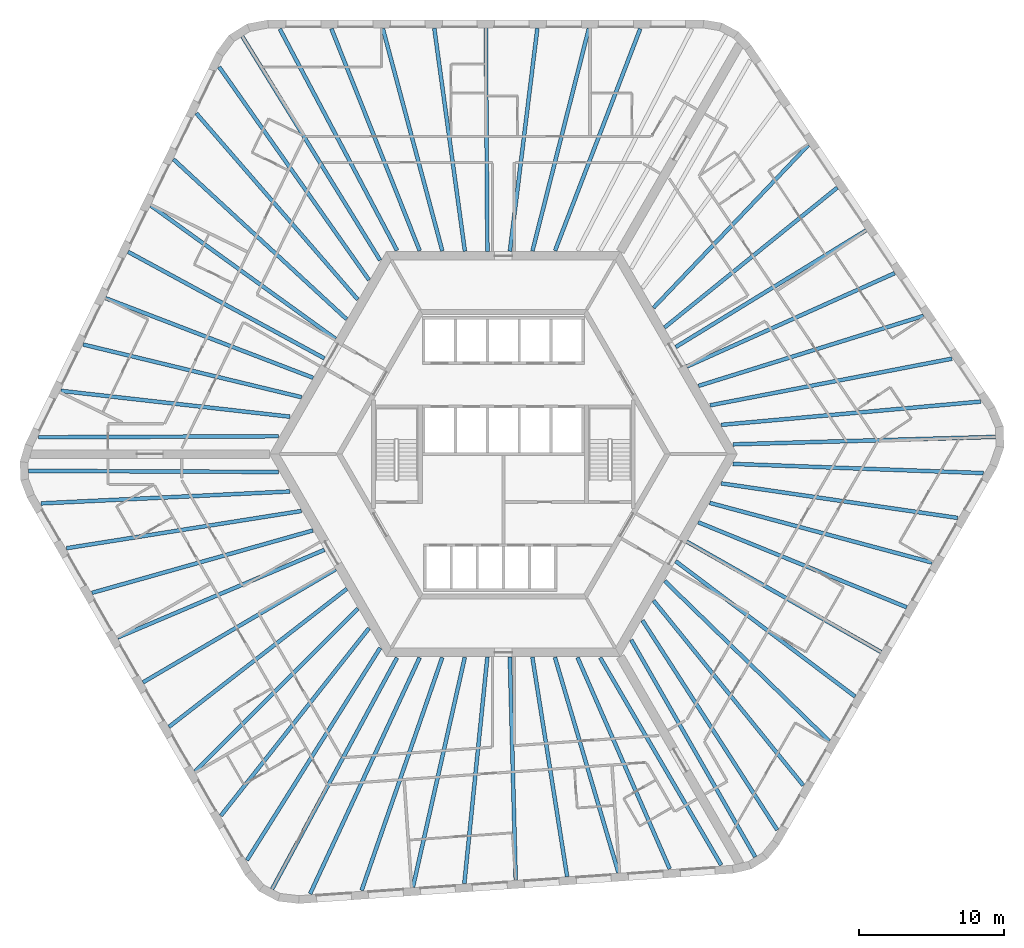
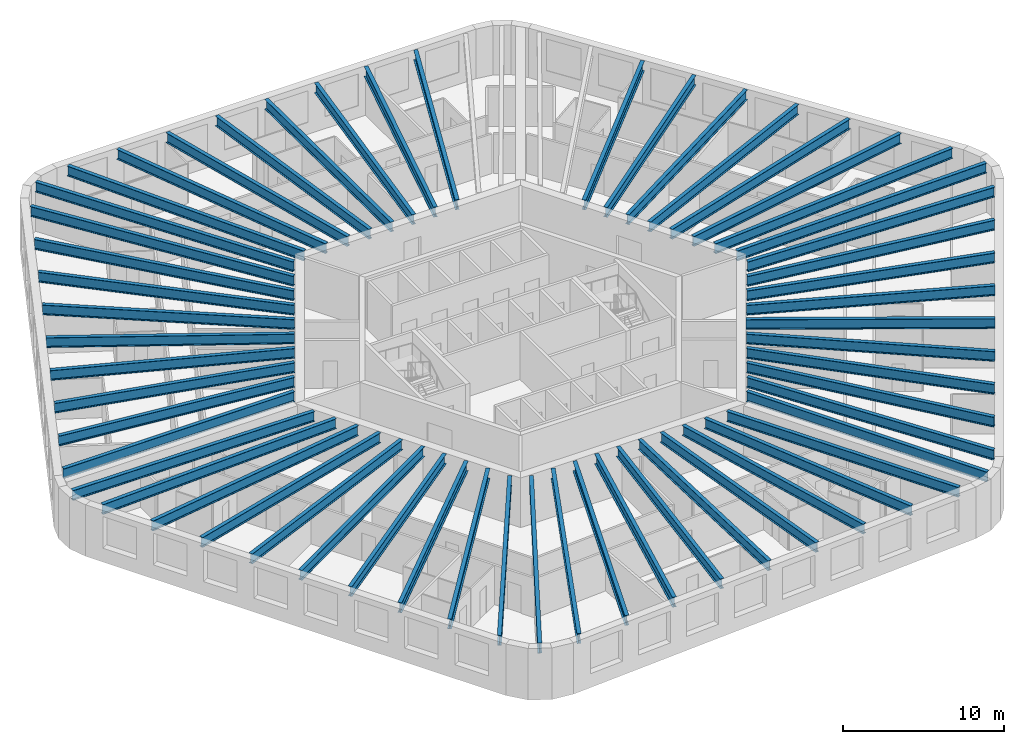
# One storey, part 1 of 12: 56 beams.
"""IFC4 building model written with IfcOpenShell, lengths in metres."""

import ifcopenshell
import ifcopenshell.guid

model = None  # the IFC model being written
_history = None  # IfcOwnerHistory: only IFC2X3 demands one
_inside = {}  # id of a spatial element -> (the spatial element, [elements in it])
_under = {}  # id of a project, library or spatial element -> (it, [spatial elements below it])
_declared = {}  # id of a project -> (the project, [libraries it declares])
_typed = {}  # id of a type object -> (the type object, [elements of that type])
_made_of = {}  # id of a material, layer set ... -> (it, [elements and type objects made of it])


def new_model(schema):
    """Start an empty IFC model of exactly this schema.

    Asked for "IFC4X3", IfcOpenShell would pick the latest addendum, in which some entities
    have other attributes; the version numbers below select the first issue.
    IFC2X3 requires an IfcOwnerHistory on every rooted entity: one is made here for all.
    """
    global model, _history
    if schema == "IFC4X3":
        model = ifcopenshell.file(schema_version=(4, 3, 0, 0))
    else:
        model = ifcopenshell.file(schema=schema)
    _inside.clear()
    _under.clear()
    _declared.clear()
    _typed.clear()
    _made_of.clear()
    _history = None
    if model.schema == "IFC2X3":
        org = make("IfcOrganization", Name="unknown")
        user = make(
            "IfcPersonAndOrganization",
            ThePerson=make("IfcPerson", FamilyName="unknown"),
            TheOrganization=org,
        )
        app = make(
            "IfcApplication",
            ApplicationDeveloper=org,
            Version="unknown",
            ApplicationFullName="unknown",
            ApplicationIdentifier="unknown",
        )
        _history = make(
            "IfcOwnerHistory",
            OwningUser=user,
            OwningApplication=app,
            ChangeAction="ADDED",
            CreationDate=0,
        )
    return model


def make(cls, **values):
    """One entity of the class cls with the attributes given. An attribute that is None is left unset."""
    return model.create_entity(
        cls, **{name: value for name, value in values.items() if value is not None}
    )


def rooted(cls, **values):
    """An entity with a GlobalId (a new one), such as an element, a storey or a relation."""
    return make(cls, GlobalId=ifcopenshell.guid.new(), OwnerHistory=_history, **values)


def si_unit(unit_type, name, prefix=None):
    """IfcSIUnit, for example si_unit("LENGTHUNIT", "METRE", prefix="MILLI")."""
    return make("IfcSIUnit", UnitType=unit_type, Prefix=prefix, Name=name)


def assignment(units):
    """IfcUnitAssignment: the units of a project."""
    return None if units is None else make("IfcUnitAssignment", Units=units)


def point(xyz):
    """IfcCartesianPoint."""
    return None if xyz is None else make("IfcCartesianPoint", Coordinates=xyz)


def direction(xyz):
    """IfcDirection."""
    return None if xyz is None else make("IfcDirection", DirectionRatios=xyz)


def frame(location, z_axis=None, x_axis=None):
    """IfcAxis2Placement3D, a coordinate frame: its origin and axes. An axis left out is left unset."""
    return make(
        "IfcAxis2Placement3D",
        Location=point(location),
        Axis=direction(z_axis),
        RefDirection=direction(x_axis),
    )


def frame_2d(location, x_axis=None):
    """IfcAxis2Placement2D, a coordinate frame in the plane: its origin and x axis."""
    return make(
        "IfcAxis2Placement2D", Location=point(location), RefDirection=direction(x_axis)
    )


def origin():
    """The frame at (0, 0, 0) with its axes left unset."""
    return frame((0.0, 0.0, 0.0))


def origin_2d():
    """The frame at (0, 0) in the plane with its x axis left unset."""
    return frame_2d((0.0, 0.0))


def place(relative_to, where):
    """IfcLocalPlacement: puts the frame where relative to a parent placement (None: the world)."""
    return make(
        "IfcLocalPlacement", PlacementRelTo=relative_to, RelativePlacement=where
    )


def context(
    kind, dimensions, precision=None, world=None, true_north=None, identifier=None
):
    """IfcGeometricRepresentationContext, for example the 3D "Model" context."""
    return make(
        "IfcGeometricRepresentationContext",
        ContextIdentifier=identifier,
        ContextType=kind,
        CoordinateSpaceDimension=dimensions,
        Precision=precision,
        WorldCoordinateSystem=world,
        TrueNorth=true_north,
    )


def subcontext(parent, identifier, kind, view, scale=None):
    """IfcGeometricRepresentationSubContext, for example "Body" below "Model"."""
    return make(
        "IfcGeometricRepresentationSubContext",
        ContextIdentifier=identifier,
        ContextType=kind,
        ParentContext=parent,
        TargetScale=scale,
        TargetView=view,
    )


def project(units=None, contexts=None):
    """IfcProject with its units and contexts."""
    return rooted(
        "IfcProject",
        Name="project",
        RepresentationContexts=contexts,
        UnitsInContext=assignment(units),
    )


def spatial(cls, under=None, at=None, **own):
    """A site, building, storey or space (cls), placed at a placement, below another one or the project."""
    s = rooted(cls, ObjectPlacement=at, **own)
    if under is not None:
        _under.setdefault(under.id(), (under, []))[1].append(s)
    return s


def profile(cls, at=None, kind="AREA", **sizes):
    """A parametric profile (cls). Its sizes go by their IFC names, for example OverallWidth=200.0."""
    return make(cls, ProfileType=kind, Position=at, **sizes)


def i_section(**sizes):
    """IfcIShapeProfileDef."""
    return profile("IfcIShapeProfileDef", **sizes)


def extrude(swept, where, along, depth):
    """IfcExtrudedAreaSolid: the profile swept, set in the frame where, extruded along a direction by depth."""
    return make(
        "IfcExtrudedAreaSolid",
        SweptArea=swept,
        Position=where,
        ExtrudedDirection=direction(along),
        Depth=depth,
    )


def shape(context_of_items, identifier, shape_type, items):
    """IfcShapeRepresentation: the items that make up one representation, for example the "Body"."""
    return make(
        "IfcShapeRepresentation",
        ContextOfItems=context_of_items,
        RepresentationIdentifier=identifier,
        RepresentationType=shape_type,
        Items=items,
    )


def material(Name=None, Category=None):
    """IfcMaterial."""
    return make("IfcMaterial", Name=Name, Category=Category)


def material_profile(
    of_material, cross_section, Name=None, Category=None, Priority=None
):
    """IfcMaterialProfile: a cross section and its material."""
    return make(
        "IfcMaterialProfile",
        Name=Name,
        Material=of_material,
        Profile=cross_section,
        Priority=Priority,
        Category=Category,
    )


def profile_set(profiles, Name=None, composite=None):
    """IfcMaterialProfileSet."""
    return make(
        "IfcMaterialProfileSet",
        Name=Name,
        MaterialProfiles=profiles,
        CompositeProfile=composite,
    )


def made_of(thing, what):
    """Note that an element or type object is made of a material, layer set ...; save() writes the relation."""
    if what is not None:
        _made_of.setdefault(what.id(), (what, []))[1].append(thing)
    return thing


def type_object(cls, material=None, **own):
    """A type object (cls), such as IfcWallType, which elements share."""
    return made_of(rooted(cls, **own), material)


def element(
    cls,
    number,
    at=None,
    inside=None,
    cuts=None,
    type_object=None,
    material=None,
    context=None,
    identifier="Body",
    shape_type=None,
    held_by="IfcProductDefinitionShape",
    body=None,
    shapes=None,
    **own,
):
    """One element of the class cls, such as IfcWall. Its Tag is "e" and its number.

    at: its placement. inside: the storey or other place that contains it. cuts: it is an
    opening in that element (IfcRelVoidsElement). A single representation is given by context,
    identifier, shape_type and body (its items); several are given by shapes. held_by: the class
    of the entity that holds the representations. save() writes the other relations.
    """
    e = rooted(cls, Tag="e%d" % number, ObjectPlacement=at, **own)
    if body is not None:
        shapes = [shape(context, identifier, shape_type, body)]
    if shapes is not None:
        e.Representation = make(held_by, Representations=shapes)
    if inside is not None:
        _inside.setdefault(inside.id(), (inside, []))[1].append(e)
    if cuts is not None:
        rooted(
            "IfcRelVoidsElement", RelatingBuildingElement=cuts, RelatedOpeningElement=e
        )
    if type_object is not None:
        _typed.setdefault(type_object.id(), (type_object, []))[1].append(e)
    return made_of(e, material)


def aggregate(whole, parts):
    """IfcRelAggregates: a whole, such as a stair, and the parts it consists of."""
    return rooted("IfcRelAggregates", RelatingObject=whole, RelatedObjects=parts)


def save(model, path):
    """Write the relations noted so far, then the file.

    IfcRelAggregates (storeys below a building ...), IfcRelContainedInSpatialStructure (elements
    in a storey), IfcRelDefinesByType, IfcRelAssociatesMaterial and IfcRelDeclares: one each for
    every whole, place, type object, material and project.
    """
    for whole, parts in _under.values():
        aggregate(whole, parts)
    for where, things in _inside.values():
        rooted(
            "IfcRelContainedInSpatialStructure",
            RelatedElements=things,
            RelatingStructure=where,
        )
    for kind, things in _typed.values():
        rooted("IfcRelDefinesByType", RelatedObjects=things, RelatingType=kind)
    for what, things in _made_of.values():
        rooted("IfcRelAssociatesMaterial", RelatedObjects=things, RelatingMaterial=what)
    for by, libraries in _declared.values():
        rooted("IfcRelDeclares", RelatingContext=by, RelatedDefinitions=libraries)
    model.write(path)


model = new_model("IFC4")

# Units and contexts
model_context = context("Model", 3, precision=1e-05, world=origin(), true_north=direction((0.0, 1.0)))
body_context = subcontext(model_context, "Body", "Model", "MODEL_VIEW")
ifc_project = project(units=[si_unit("LENGTHUNIT", "METRE"), si_unit("AREAUNIT", "SQUARE_METRE"), si_unit("VOLUMEUNIT", "CUBIC_METRE"), si_unit("PLANEANGLEUNIT", "RADIAN"), si_unit("MASSUNIT", "GRAM", prefix="KILO")], contexts=[model_context])

# Site, building, storey
site_placement = place(None, origin())
site = spatial("IfcSite", under=ifc_project, at=site_placement, CompositionType="ELEMENT")
building_placement = place(site_placement, origin())
building = spatial("IfcBuilding", under=site, at=building_placement, Name="Tarnside Tower", CompositionType="ELEMENT")
storey_placement = place(building_placement, frame((0.0, 0.0, 119.39990234375)))
storey = spatial("IfcBuildingStorey", under=building, at=storey_placement, Name="L27", CompositionType="ELEMENT", Elevation=119.39990234375)

# Beams
ifc_material = material(Name="Steel S355", Category="steel")
ifc_material_profile_1 = material_profile(ifc_material, i_section(OverallWidth=0.26513671875, OverallDepth=0.75390625, WebThickness=0.0126953125, FlangeThickness=0.017578125, FilletRadius=0.0166015625, at=origin_2d()), Name="UB 762x267x147")
ifc_profile_set_1 = profile_set([ifc_material_profile_1], Name="Steel S355")
beam_type_1 = type_object("IfcBeamType", Name="Floor beam UB 762x267x147", PredefinedType="BEAM", material=ifc_profile_set_1)
beam_1_placement = place(storey_placement, frame((2.3525390625, 29.43017578125, 3.373046875), z_axis=(-0.122329629165, -0.992489527314, 0.0), x_axis=(0.992489527314, -0.122329629165, 0.0)))
element("IfcBeam", 1, at=beam_1_placement, inside=storey, type_object=beam_type_1, Name="Floor beam F1.04", PredefinedType="BEAM", context=body_context, shape_type="SweptSolid", body=[
    extrude(i_section(OverallWidth=0.26513671875, OverallDepth=0.75390625, WebThickness=0.0126953125, FlangeThickness=0.017578125, FilletRadius=0.0166015625, at=origin_2d()), origin(), (0.0, 0.0, 1.0), 15.527099609375),
])
beam_2_placement = place(storey_placement, frame((-1.208984375, 29.449951171875, 3.373046875), z_axis=(0.007000128723, -0.999975498799, 0.0), x_axis=(0.999975498799, 0.007000128723, 0.0)))
element("IfcBeam", 2, at=beam_2_placement, inside=storey, type_object=beam_type_1, Name="Floor beam F1.05", PredefinedType="BEAM", context=body_context, shape_type="SweptSolid", body=[
    extrude(i_section(OverallWidth=0.26513671875, OverallDepth=0.75390625, WebThickness=0.0126953125, FlangeThickness=0.017578125, FilletRadius=0.0166015625, at=origin_2d()), origin(), (0.0, 0.0, 1.0), 15.450439453125),
])
beam_3_placement = place(storey_placement, frame((-4.7705078125, 29.43017578125, 3.373046875), z_axis=(0.136000560933, -0.990708760144, 0.0), x_axis=(0.990708760144, 0.136000560933, 0.0)))
element("IfcBeam", 3, at=beam_3_placement, inside=storey, type_object=beam_type_1, Name="Floor beam F1.06", PredefinedType="BEAM", context=body_context, shape_type="SweptSolid", body=[
    extrude(i_section(OverallWidth=0.26513671875, OverallDepth=0.75390625, WebThickness=0.0126953125, FlangeThickness=0.017578125, FilletRadius=0.0166015625, at=origin_2d()), origin(), (0.0, 0.0, 1.0), 15.554931640625),
])
beam_4_placement = place(storey_placement, frame((-24.348876953125, 17.168212890625, 3.373046875), z_axis=(0.811027744825, -0.585007689799, 0.0), x_axis=(0.585007689799, 0.811027744825, 0.0)))
element("IfcBeam", 4, at=beam_4_placement, inside=storey, type_object=beam_type_1, Name="Floor beam F2.04", PredefinedType="BEAM", context=body_context, shape_type="SweptSolid", body=[
    extrude(i_section(OverallWidth=0.26513671875, OverallDepth=0.75390625, WebThickness=0.0126953125, FlangeThickness=0.017578125, FilletRadius=0.0166015625, at=origin_2d()), origin(), (0.0, 0.0, 1.0), 15.731689453125),
])
beam_5_placement = place(storey_placement, frame((-25.92626953125, 13.978271484375, 3.373046875), z_axis=(0.878894567679, -0.477016078245, 0.0), x_axis=(0.477016078245, 0.878894567679, 0.0)))
element("IfcBeam", 5, at=beam_5_placement, inside=storey, type_object=beam_type_1, Name="Floor beam F2.05", PredefinedType="BEAM", context=body_context, shape_type="SweptSolid", body=[
    extrude(i_section(OverallWidth=0.26513671875, OverallDepth=0.75390625, WebThickness=0.0126953125, FlangeThickness=0.017578125, FilletRadius=0.0166015625, at=origin_2d()), origin(), (0.0, 0.0, 1.0), 15.427490234375),
])
beam_6_placement = place(storey_placement, frame((-27.487548828125, 10.77734375, 3.373046875), z_axis=(0.933617702452, -0.358270827264, 0.0), x_axis=(0.358270827264, 0.933617702452, 0.0)))
element("IfcBeam", 6, at=beam_6_placement, inside=storey, type_object=beam_type_1, Name="Floor beam F2.06", PredefinedType="BEAM", context=body_context, shape_type="SweptSolid", body=[
    extrude(i_section(OverallWidth=0.26513671875, OverallDepth=0.75390625, WebThickness=0.0126953125, FlangeThickness=0.017578125, FilletRadius=0.0166015625, at=origin_2d()), origin(), (0.0, 0.0, 1.0), 15.363037109375),
])
beam_7_placement = place(storey_placement, frame((-29.029296875, 7.572509765625, 3.373046875), z_axis=(0.972101750991, -0.234559556873, 0.0), x_axis=(0.234559556873, 0.972101750991, 0.0)))
element("IfcBeam", 7, at=beam_7_placement, inside=storey, type_object=beam_type_1, Name="Floor beam F2.07", PredefinedType="BEAM", context=body_context, shape_type="SweptSolid", body=[
    extrude(i_section(OverallWidth=0.26513671875, OverallDepth=0.75390625, WebThickness=0.0126953125, FlangeThickness=0.017578125, FilletRadius=0.0166015625, at=origin_2d()), origin(), (0.0, 0.0, 1.0), 15.522216796875),
])
beam_8_placement = place(storey_placement, frame((-26.66357421875, -12.677734375, 3.373046875), z_axis=(0.920684021494, 0.390308765679, 0.0), x_axis=(-0.390308765679, 0.920684021494, 0.0)))
element("IfcBeam", 8, at=beam_8_placement, inside=storey, type_object=beam_type_1, Name="Floor beam F3.04", PredefinedType="BEAM", context=body_context, shape_type="SweptSolid", body=[
    extrude(i_section(OverallWidth=0.26513671875, OverallDepth=0.75390625, WebThickness=0.0126953125, FlangeThickness=0.017578125, FilletRadius=0.0166015625, at=origin_2d()), origin(), (0.0, 0.0, 1.0), 15.52685546875),
])
beam_9_placement = place(storey_placement, frame((-24.89990234375, -15.772216796875, 3.373046875), z_axis=(0.862497502004, 0.506061319443, 0.0), x_axis=(-0.506061319443, 0.862497502004, 0.0)))
element("IfcBeam", 9, at=beam_9_placement, inside=storey, type_object=beam_type_1, Name="Floor beam F3.05", PredefinedType="BEAM", context=body_context, shape_type="SweptSolid", body=[
    extrude(i_section(OverallWidth=0.26513671875, OverallDepth=0.75390625, WebThickness=0.0126953125, FlangeThickness=0.017578125, FilletRadius=0.0166015625, at=origin_2d()), origin(), (0.0, 0.0, 1.0), 15.450439453125),
])
beam_10_placement = place(storey_placement, frame((-23.10205078125, -18.846435546875, 3.373046875), z_axis=(0.789983963813, 0.613127504617, 0.0), x_axis=(-0.613127504617, 0.789983963813, 0.0)))
element("IfcBeam", 10, at=beam_10_placement, inside=storey, type_object=beam_type_1, Name="Floor beam F3.06", PredefinedType="BEAM", context=body_context, shape_type="SweptSolid", body=[
    extrude(i_section(OverallWidth=0.26513671875, OverallDepth=0.75390625, WebThickness=0.0126953125, FlangeThickness=0.017578125, FilletRadius=0.0166015625, at=origin_2d()), origin(), (0.0, 0.0, 1.0), 15.554931640625),
])
beam_11_placement = place(storey_placement, frame((-2.693603515625, -29.6708984375, 3.373046875), z_axis=(0.101123115756, 0.994873919379, 0.0), x_axis=(-0.994873919379, 0.101123115756, 0.0)))
element("IfcBeam", 11, at=beam_11_placement, inside=storey, type_object=beam_type_1, Name="Floor beam F4.04", PredefinedType="BEAM", context=body_context, shape_type="SweptSolid", body=[
    extrude(i_section(OverallWidth=0.26513671875, OverallDepth=0.75390625, WebThickness=0.0126953125, FlangeThickness=0.017578125, FilletRadius=0.0166015625, at=origin_2d()), origin(), (0.0, 0.0, 1.0), 15.7314453125),
])
beam_12_placement = place(storey_placement, frame((0.857666015625, -29.44189453125, 3.373046875), z_axis=(-0.026333316788, 0.999653218085, 0.0), x_axis=(-0.999653218085, -0.026333316788, 0.0)))
element("IfcBeam", 12, at=beam_12_placement, inside=storey, type_object=beam_type_1, Name="Floor beam F4.05", PredefinedType="BEAM", context=body_context, shape_type="SweptSolid", body=[
    extrude(i_section(OverallWidth=0.26513671875, OverallDepth=0.75390625, WebThickness=0.0126953125, FlangeThickness=0.017578125, FilletRadius=0.0166015625, at=origin_2d()), origin(), (0.0, 0.0, 1.0), 15.42724609375),
])
beam_13_placement = place(storey_placement, frame((4.41015625, -29.193603515625, 3.373046875), z_axis=(-0.156513375907, 0.98767583911, 0.0), x_axis=(-0.98767583911, -0.156513375907, 0.0)))
element("IfcBeam", 13, at=beam_13_placement, inside=storey, type_object=beam_type_1, Name="Floor beam F4.06", PredefinedType="BEAM", context=body_context, shape_type="SweptSolid", body=[
    extrude(i_section(OverallWidth=0.26513671875, OverallDepth=0.75390625, WebThickness=0.0126953125, FlangeThickness=0.017578125, FilletRadius=0.0166015625, at=origin_2d()), origin(), (0.0, 0.0, 1.0), 15.36328125),
])
beam_14_placement = place(storey_placement, frame((7.956787109375, -28.926513671875, 3.373046875), z_axis=(-0.282920694328, 0.959143305623, 0.0), x_axis=(-0.959143305623, -0.282920694328, 0.0)))
element("IfcBeam", 14, at=beam_14_placement, inside=storey, type_object=beam_type_1, Name="Floor beam F4.07", PredefinedType="BEAM", context=body_context, shape_type="SweptSolid", body=[
    extrude(i_section(OverallWidth=0.26513671875, OverallDepth=0.75390625, WebThickness=0.0126953125, FlangeThickness=0.017578125, FilletRadius=0.0166015625, at=origin_2d()), origin(), (0.0, 0.0, 1.0), 15.5224609375),
])
beam_15_placement = place(storey_placement, frame((24.31103515625, -16.75244140625, 3.373046875), z_axis=(-0.798361152727, 0.602178935049, 0.0), x_axis=(-0.602178935049, -0.798361152727, 0.0)))
element("IfcBeam", 15, at=beam_15_placement, inside=storey, type_object=beam_type_1, Name="Floor beam F5.04", PredefinedType="BEAM", context=body_context, shape_type="SweptSolid", body=[
    extrude(i_section(OverallWidth=0.26513671875, OverallDepth=0.75390625, WebThickness=0.0126953125, FlangeThickness=0.017578125, FilletRadius=0.0166015625, at=origin_2d()), origin(), (0.0, 0.0, 1.0), 15.527099609375),
])
beam_16_placement = place(storey_placement, frame((26.10888671875, -13.677978515625, 3.373046875), z_axis=(-0.869502520992, 0.493928502911, 0.0), x_axis=(-0.493928502911, -0.869502520992, 0.0)))
element("IfcBeam", 16, at=beam_16_placement, inside=storey, type_object=beam_type_1, Name="Floor beam F5.05", PredefinedType="BEAM", context=body_context, shape_type="SweptSolid", body=[
    extrude(i_section(OverallWidth=0.26513671875, OverallDepth=0.75390625, WebThickness=0.0126953125, FlangeThickness=0.017578125, FilletRadius=0.0166015625, at=origin_2d()), origin(), (0.0, 0.0, 1.0), 15.4501953125),
])
beam_17_placement = place(storey_placement, frame((27.87255859375, -10.58349609375, 3.373046875), z_axis=(-0.925981621163, 0.377568586177, 0.0), x_axis=(-0.377568586177, -0.925981621163, 0.0)))
element("IfcBeam", 17, at=beam_17_placement, inside=storey, type_object=beam_type_1, Name="Floor beam F5.06", PredefinedType="BEAM", context=body_context, shape_type="SweptSolid", body=[
    extrude(i_section(OverallWidth=0.26513671875, OverallDepth=0.75390625, WebThickness=0.0126953125, FlangeThickness=0.017578125, FilletRadius=0.0166015625, at=origin_2d()), origin(), (0.0, 0.0, 1.0), 15.554931640625),
])
beam_18_placement = place(storey_placement, frame((27.04248046875, 12.502685546875, 3.373046875), z_axis=(-0.912146413919, -0.409864513681, 0.0), x_axis=(0.409864513681, -0.912146413919, 0.0)))
element("IfcBeam", 18, at=beam_18_placement, inside=storey, type_object=beam_type_1, Name="Floor beam F6.04", PredefinedType="BEAM", context=body_context, shape_type="SweptSolid", body=[
    extrude(i_section(OverallWidth=0.26513671875, OverallDepth=0.75390625, WebThickness=0.0126953125, FlangeThickness=0.017578125, FilletRadius=0.0166015625, at=origin_2d()), origin(), (0.0, 0.0, 1.0), 15.7314453125),
])
beam_19_placement = place(storey_placement, frame((25.068603515625, 15.463623046875, 3.373046875), z_axis=(-0.852558490017, -0.522631821744, 0.0), x_axis=(0.522631821744, -0.852558490017, 0.0)))
element("IfcBeam", 19, at=beam_19_placement, inside=storey, type_object=beam_type_1, Name="Floor beam F6.05", PredefinedType="BEAM", context=body_context, shape_type="SweptSolid", body=[
    extrude(i_section(OverallWidth=0.26513671875, OverallDepth=0.75390625, WebThickness=0.0126953125, FlangeThickness=0.017578125, FilletRadius=0.0166015625, at=origin_2d()), origin(), (0.0, 0.0, 1.0), 15.42724609375),
])
beam_20_placement = place(storey_placement, frame((23.0771484375, 18.416259765625, 3.373046875), z_axis=(-0.777079423039, -0.629402550272, 0.0), x_axis=(0.629402550272, -0.777079423039, 0.0)))
element("IfcBeam", 20, at=beam_20_placement, inside=storey, type_object=beam_type_1, Name="Floor beam F6.06", PredefinedType="BEAM", context=body_context, shape_type="SweptSolid", body=[
    extrude(i_section(OverallWidth=0.26513671875, OverallDepth=0.75390625, WebThickness=0.0126953125, FlangeThickness=0.017578125, FilletRadius=0.0166015625, at=origin_2d()), origin(), (0.0, 0.0, 1.0), 15.36328125),
])
beam_21_placement = place(storey_placement, frame((21.072509765625, 21.35400390625, 3.373046875), z_axis=(-0.689174694318, -0.724595225427, 0.0), x_axis=(0.724595225427, -0.689174694318, 0.0)))
element("IfcBeam", 21, at=beam_21_placement, inside=storey, type_object=beam_type_1, Name="Floor beam F6.07", PredefinedType="BEAM", context=body_context, shape_type="SweptSolid", body=[
    extrude(i_section(OverallWidth=0.26513671875, OverallDepth=0.75390625, WebThickness=0.0126953125, FlangeThickness=0.017578125, FilletRadius=0.0166015625, at=origin_2d()), origin(), (0.0, 0.0, 1.0), 15.522216796875),
])
ifc_material_profile_2 = material_profile(ifc_material, i_section(OverallWidth=0.2666015625, OverallDepth=0.76220703125, WebThickness=0.014404296875, FlangeThickness=0.021484375, FilletRadius=0.0166015625, at=origin_2d()), Name="UB 762x267x173")
ifc_profile_set_2 = profile_set([ifc_material_profile_2], Name="Steel S355")
beam_type_2 = type_object("IfcBeamType", Name="Floor beam UB 762x267x173", PredefinedType="BEAM", material=ifc_profile_set_2)
beam_22_placement = place(storey_placement, frame((9.4619140625, 29.39404296875, 3.368896484375), z_axis=(-0.358299847269, -0.933606565662, 0.0), x_axis=(0.933606565662, -0.358299847269, 0.0)))
element("IfcBeam", 22, at=beam_22_placement, inside=storey, type_object=beam_type_2, Name="Floor beam F1.02", PredefinedType="BEAM", context=body_context, shape_type="SweptSolid", body=[
    extrude(i_section(OverallWidth=0.2666015625, OverallDepth=0.76220703125, WebThickness=0.014404296875, FlangeThickness=0.021484375, FilletRadius=0.0166015625, at=origin_2d()), origin(), (0.0, 0.0, 1.0), 16.428955078125),
])
beam_23_placement = place(storey_placement, frame((5.909423828125, 29.4111328125, 3.368896484375), z_axis=(-0.245747281389, -0.969333933013, 0.0), x_axis=(0.969333933013, -0.245747281389, 0.0)))
element("IfcBeam", 23, at=beam_23_placement, inside=storey, type_object=beam_type_2, Name="Floor beam F1.03", PredefinedType="BEAM", context=body_context, shape_type="SweptSolid", body=[
    extrude(i_section(OverallWidth=0.2666015625, OverallDepth=0.76220703125, WebThickness=0.014404296875, FlangeThickness=0.021484375, FilletRadius=0.0166015625, at=origin_2d()), origin(), (0.0, 0.0, 1.0), 15.858642578125),
])
beam_24_placement = place(storey_placement, frame((-8.3271484375, 29.411376953125, 3.368896484375), z_axis=(0.258447478572, -0.966025310652, 0.0), x_axis=(0.966025310652, 0.258447478572, 0.0)))
element("IfcBeam", 24, at=beam_24_placement, inside=storey, type_object=beam_type_2, Name="Floor beam F1.07", PredefinedType="BEAM", context=body_context, shape_type="SweptSolid", body=[
    extrude(i_section(OverallWidth=0.2666015625, OverallDepth=0.76220703125, WebThickness=0.014404296875, FlangeThickness=0.021484375, FilletRadius=0.0166015625, at=origin_2d()), origin(), (0.0, 0.0, 1.0), 15.91357421875),
])
beam_25_placement = place(storey_placement, frame((-11.87939453125, 29.394287109375, 3.368896484375), z_axis=(0.369638204477, -0.929175762593, 0.0), x_axis=(0.929175762593, 0.369638204477, 0.0)))
element("IfcBeam", 25, at=beam_25_placement, inside=storey, type_object=beam_type_2, Name="Floor beam F1.08", PredefinedType="BEAM", context=body_context, shape_type="SweptSolid", body=[
    extrude(i_section(OverallWidth=0.2666015625, OverallDepth=0.76220703125, WebThickness=0.014404296875, FlangeThickness=0.021484375, FilletRadius=0.0166015625, at=origin_2d()), origin(), (0.0, 0.0, 1.0), 16.507568359375),
])
beam_26_placement = place(storey_placement, frame((-15.44580078125, 29.37939453125, 3.368896484375), z_axis=(0.467741993634, -0.883865050441, 0.0), x_axis=(0.883865050441, 0.467741993634, 0.0)))
element("IfcBeam", 26, at=beam_26_placement, inside=storey, type_object=beam_type_2, Name="Floor beam F1.09", PredefinedType="BEAM", context=body_context, shape_type="SweptSolid", body=[
    extrude(i_section(OverallWidth=0.2666015625, OverallDepth=0.76220703125, WebThickness=0.014404296875, FlangeThickness=0.021484375, FilletRadius=0.0166015625, at=origin_2d()), origin(), (0.0, 0.0, 1.0), 17.320068359375),
])
beam_27_placement = place(storey_placement, frame((-18.042236328125, 28.8701171875, 3.368896484375), z_axis=(0.524382977035, -0.851482526771, 0.0), x_axis=(0.851482526771, 0.524382977035, 0.0)))
element("IfcBeam", 27, at=beam_27_placement, inside=storey, type_object=beam_type_2, Name="Floor beam C1", PredefinedType="BEAM", context=body_context, shape_type="SweptSolid", body=[
    extrude(i_section(OverallWidth=0.2666015625, OverallDepth=0.76220703125, WebThickness=0.014404296875, FlangeThickness=0.021484375, FilletRadius=0.0166015625, at=origin_2d()), origin(), (0.0, 0.0, 1.0), 18.1728515625),
])
beam_28_placement = place(storey_placement, frame((-19.638671875, 26.75537109375, 3.368896484375), z_axis=(0.575411427849, -0.817864101609, 0.0), x_axis=(0.817864101609, 0.575411427849, 0.0)))
element("IfcBeam", 28, at=beam_28_placement, inside=storey, type_object=beam_type_2, Name="Floor beam F2.01", PredefinedType="BEAM", context=body_context, shape_type="SweptSolid", body=[
    extrude(i_section(OverallWidth=0.2666015625, OverallDepth=0.76220703125, WebThickness=0.014404296875, FlangeThickness=0.021484375, FilletRadius=0.0166015625, at=origin_2d()), origin(), (0.0, 0.0, 1.0), 18.00048828125),
])
beam_29_placement = place(storey_placement, frame((-21.21630859375, 23.554931640625, 3.368896484375), z_axis=(0.654980748073, -0.755645564834, 0.0), x_axis=(0.755645564834, 0.654980748073, 0.0)))
element("IfcBeam", 29, at=beam_29_placement, inside=storey, type_object=beam_type_2, Name="Floor beam F2.02", PredefinedType="BEAM", context=body_context, shape_type="SweptSolid", body=[
    extrude(i_section(OverallWidth=0.2666015625, OverallDepth=0.76220703125, WebThickness=0.014404296875, FlangeThickness=0.021484375, FilletRadius=0.0166015625, at=origin_2d()), origin(), (0.0, 0.0, 1.0), 17.0302734375),
])
beam_30_placement = place(storey_placement, frame((-22.7890625, 20.368408203125, 3.368896484375), z_axis=(0.734715474517, -0.678375391288, 0.0), x_axis=(0.678375391288, 0.734715474517, 0.0)))
element("IfcBeam", 30, at=beam_30_placement, inside=storey, type_object=beam_type_2, Name="Floor beam F2.03", PredefinedType="BEAM", context=body_context, shape_type="SweptSolid", body=[
    extrude(i_section(OverallWidth=0.2666015625, OverallDepth=0.76220703125, WebThickness=0.014404296875, FlangeThickness=0.021484375, FilletRadius=0.0166015625, at=origin_2d()), origin(), (0.0, 0.0, 1.0), 16.2802734375),
])
beam_31_placement = place(storey_placement, frame((-30.570556640625, 4.372802734375, 3.368896484375), z_axis=(0.993687302776, -0.112185312326, 0.0), x_axis=(0.112185312326, 0.993687302776, 0.0)))
element("IfcBeam", 31, at=beam_31_placement, inside=storey, type_object=beam_type_2, Name="Floor beam F2.08", PredefinedType="BEAM", context=body_context, shape_type="SweptSolid", body=[
    extrude(i_section(OverallWidth=0.2666015625, OverallDepth=0.76220703125, WebThickness=0.014404296875, FlangeThickness=0.021484375, FilletRadius=0.0166015625, at=origin_2d()), origin(), (0.0, 0.0, 1.0), 15.934326171875),
])
beam_32_placement = place(storey_placement, frame((-32.119384765625, 1.162109375, 3.368896484375), z_axis=(0.999990508787, 0.004356872304, 0.0), x_axis=(-0.004356872304, 0.999990508787, 0.0)))
element("IfcBeam", 32, at=beam_32_placement, inside=storey, type_object=beam_type_2, Name="Floor beam F2.09", PredefinedType="BEAM", context=body_context, shape_type="SweptSolid", body=[
    extrude(i_section(OverallWidth=0.2666015625, OverallDepth=0.76220703125, WebThickness=0.014404296875, FlangeThickness=0.021484375, FilletRadius=0.0166015625, at=origin_2d()), origin(), (0.0, 0.0, 1.0), 16.586669921875),
])
beam_33_placement = place(storey_placement, frame((-32.80712890625, -1.1572265625, 3.368896484375), z_axis=(0.999990027056, -0.004466070929, 0.0), x_axis=(0.004466070929, 0.999990027056, 0.0)))
element("IfcBeam", 33, at=beam_33_placement, inside=storey, type_object=beam_type_2, Name="Floor beam C2", PredefinedType="BEAM", context=body_context, shape_type="SweptSolid", body=[
    extrude(i_section(OverallWidth=0.2666015625, OverallDepth=0.76220703125, WebThickness=0.014404296875, FlangeThickness=0.021484375, FilletRadius=0.0166015625, at=origin_2d()), origin(), (0.0, 0.0, 1.0), 17.2744140625),
])
beam_34_placement = place(storey_placement, frame((-31.95703125, -3.406494140625, 3.368896484375), z_axis=(0.998853818522, 0.047864905982, 0.0), x_axis=(-0.047864905982, 0.998853818522, 0.0)))
element("IfcBeam", 34, at=beam_34_placement, inside=storey, type_object=beam_type_2, Name="Floor beam F3.01", PredefinedType="BEAM", context=body_context, shape_type="SweptSolid", body=[
    extrude(i_section(OverallWidth=0.2666015625, OverallDepth=0.76220703125, WebThickness=0.014404296875, FlangeThickness=0.021484375, FilletRadius=0.0166015625, at=origin_2d()), origin(), (0.0, 0.0, 1.0), 17.2197265625),
])
beam_35_placement = place(storey_placement, frame((-30.18701171875, -6.502685546875, 3.368896484375), z_axis=(0.987678477078, 0.156496728136, 0.0), x_axis=(-0.156496728136, 0.987678477078, 0.0)))
element("IfcBeam", 35, at=beam_35_placement, inside=storey, type_object=beam_type_2, Name="Floor beam F3.02", PredefinedType="BEAM", context=body_context, shape_type="SweptSolid", body=[
    extrude(i_section(OverallWidth=0.2666015625, OverallDepth=0.76220703125, WebThickness=0.014404296875, FlangeThickness=0.021484375, FilletRadius=0.0166015625, at=origin_2d()), origin(), (0.0, 0.0, 1.0), 16.4287109375),
])
beam_36_placement = place(storey_placement, frame((-28.425537109375, -9.587890625, 3.368896484375), z_axis=(0.962342240503, 0.271840784547, 0.0), x_axis=(-0.271840784547, 0.962342240503, 0.0)))
element("IfcBeam", 36, at=beam_36_placement, inside=storey, type_object=beam_type_2, Name="Floor beam F3.03", PredefinedType="BEAM", context=body_context, shape_type="SweptSolid", body=[
    extrude(i_section(OverallWidth=0.2666015625, OverallDepth=0.76220703125, WebThickness=0.014404296875, FlangeThickness=0.021484375, FilletRadius=0.0166015625, at=origin_2d()), origin(), (0.0, 0.0, 1.0), 15.858642578125),
])
beam_37_placement = place(storey_placement, frame((-21.307373046875, -21.917236328125, 3.368896484375), z_axis=(0.707367544857, 0.706845921318, 0.0), x_axis=(-0.706845921318, 0.707367544857, 0.0)))
element("IfcBeam", 37, at=beam_37_placement, inside=storey, type_object=beam_type_2, Name="Floor beam F3.07", PredefinedType="BEAM", context=body_context, shape_type="SweptSolid", body=[
    extrude(i_section(OverallWidth=0.2666015625, OverallDepth=0.76220703125, WebThickness=0.014404296875, FlangeThickness=0.021484375, FilletRadius=0.0166015625, at=origin_2d()), origin(), (0.0, 0.0, 1.0), 15.913330078125),
])
beam_38_placement = place(storey_placement, frame((-19.516357421875, -24.985107421875, 3.368896484375), z_axis=(0.619872995007, 0.784702153725, 0.0), x_axis=(-0.784702153725, 0.619872995007, 0.0)))
element("IfcBeam", 38, at=beam_38_placement, inside=storey, type_object=beam_type_2, Name="Floor beam F3.08", PredefinedType="BEAM", context=body_context, shape_type="SweptSolid", body=[
    extrude(i_section(OverallWidth=0.2666015625, OverallDepth=0.76220703125, WebThickness=0.014404296875, FlangeThickness=0.021484375, FilletRadius=0.0166015625, at=origin_2d()), origin(), (0.0, 0.0, 1.0), 16.507568359375),
])
beam_39_placement = place(storey_placement, frame((-17.72021484375, -28.066162109375, 3.368896484375), z_axis=(0.531583085704, 0.847006152866, 0.0), x_axis=(-0.847006152866, 0.531583085704, 0.0)))
element("IfcBeam", 39, at=beam_39_placement, inside=storey, type_object=beam_type_2, Name="Floor beam F3.09", PredefinedType="BEAM", context=body_context, shape_type="SweptSolid", body=[
    extrude(i_section(OverallWidth=0.2666015625, OverallDepth=0.76220703125, WebThickness=0.014404296875, FlangeThickness=0.021484375, FilletRadius=0.0166015625, at=origin_2d()), origin(), (0.0, 0.0, 1.0), 17.320068359375),
])
beam_40_placement = place(storey_placement, frame((-15.981201171875, -30.060302734375, 3.368896484375), z_axis=(0.475208200571, 0.879873380726, 0.0), x_axis=(-0.879873380726, 0.475208200571, 0.0)))
element("IfcBeam", 40, at=beam_40_placement, inside=storey, type_object=beam_type_2, Name="Floor beam C3", PredefinedType="BEAM", context=body_context, shape_type="SweptSolid", body=[
    extrude(i_section(OverallWidth=0.2666015625, OverallDepth=0.76220703125, WebThickness=0.014404296875, FlangeThickness=0.021484375, FilletRadius=0.0166015625, at=origin_2d()), origin(), (0.0, 0.0, 1.0), 18.173095703125),
])
beam_41_placement = place(storey_placement, frame((-13.3515625, -30.38525390625, 3.368896484375), z_axis=(0.42059199668, 0.907249895193, 0.0), x_axis=(-0.907249895193, 0.42059199668, 0.0)))
element("IfcBeam", 41, at=beam_41_placement, inside=storey, type_object=beam_type_2, Name="Floor beam F4.01", PredefinedType="BEAM", context=body_context, shape_type="SweptSolid", body=[
    extrude(i_section(OverallWidth=0.2666015625, OverallDepth=0.76220703125, WebThickness=0.014404296875, FlangeThickness=0.021484375, FilletRadius=0.0166015625, at=origin_2d()), origin(), (0.0, 0.0, 1.0), 18.000244140625),
])
beam_42_placement = place(storey_placement, frame((-9.791015625, -30.151123046875, 3.368896484375), z_axis=(0.326912128872, 0.945054739153, 0.0), x_axis=(-0.945054739153, 0.326912128872, 0.0)))
element("IfcBeam", 42, at=beam_42_placement, inside=storey, type_object=beam_type_2, Name="Floor beam F4.02", PredefinedType="BEAM", context=body_context, shape_type="SweptSolid", body=[
    extrude(i_section(OverallWidth=0.2666015625, OverallDepth=0.76220703125, WebThickness=0.014404296875, FlangeThickness=0.021484375, FilletRadius=0.0166015625, at=origin_2d()), origin(), (0.0, 0.0, 1.0), 17.0302734375),
])
beam_43_placement = place(storey_placement, frame((-6.2451171875, -29.920166015625, 3.368896484375), z_axis=(0.220139818673, 0.975468328668, 0.0), x_axis=(-0.975468328668, 0.220139818673, 0.0)))
element("IfcBeam", 43, at=beam_43_placement, inside=storey, type_object=beam_type_2, Name="Floor beam F4.03", PredefinedType="BEAM", context=body_context, shape_type="SweptSolid", body=[
    extrude(i_section(OverallWidth=0.2666015625, OverallDepth=0.76220703125, WebThickness=0.014404296875, FlangeThickness=0.021484375, FilletRadius=0.0166015625, at=origin_2d()), origin(), (0.0, 0.0, 1.0), 16.280517578125),
])
beam_44_placement = place(storey_placement, frame((11.498291015625, -28.6611328125, 3.368896484375), z_axis=(-0.399695682658, 0.916647893831, 0.0), x_axis=(-0.916647893831, -0.399695682658, 0.0)))
element("IfcBeam", 44, at=beam_44_placement, inside=storey, type_object=beam_type_2, Name="Floor beam F4.08", PredefinedType="BEAM", context=body_context, shape_type="SweptSolid", body=[
    extrude(i_section(OverallWidth=0.2666015625, OverallDepth=0.76220703125, WebThickness=0.014404296875, FlangeThickness=0.021484375, FilletRadius=0.0166015625, at=origin_2d()), origin(), (0.0, 0.0, 1.0), 15.934326171875),
])
beam_45_placement = place(storey_placement, frame((15.05322265625, -28.3974609375, 3.368896484375), z_axis=(-0.503758455062, 0.86384455717, 0.0), x_axis=(-0.86384455717, -0.503758455062, 0.0)))
element("IfcBeam", 45, at=beam_45_placement, inside=storey, type_object=beam_type_2, Name="Floor beam F4.09", PredefinedType="BEAM", context=body_context, shape_type="SweptSolid", body=[
    extrude(i_section(OverallWidth=0.2666015625, OverallDepth=0.76220703125, WebThickness=0.014404296875, FlangeThickness=0.021484375, FilletRadius=0.0166015625, at=origin_2d()), origin(), (0.0, 0.0, 1.0), 16.586669921875),
])
beam_46_placement = place(storey_placement, frame((17.40576171875, -27.833251953125, 3.368896484375), z_axis=(-0.496126762138, 0.868250099851, 0.0), x_axis=(-0.868250099851, -0.496126762138, 0.0)))
element("IfcBeam", 46, at=beam_46_placement, inside=storey, type_object=beam_type_2, Name="Floor beam C4", PredefinedType="BEAM", context=body_context, shape_type="SweptSolid", body=[
    extrude(i_section(OverallWidth=0.2666015625, OverallDepth=0.76220703125, WebThickness=0.014404296875, FlangeThickness=0.021484375, FilletRadius=0.0166015625, at=origin_2d()), origin(), (0.0, 0.0, 1.0), 17.2744140625),
])
beam_47_placement = place(storey_placement, frame((18.9287109375, -25.972412109375, 3.368896484375), z_axis=(-0.540872954463, 0.841104302171, 0.0), x_axis=(-0.841104302171, -0.540872954463, 0.0)))
element("IfcBeam", 47, at=beam_47_placement, inside=storey, type_object=beam_type_2, Name="Floor beam F5.01", PredefinedType="BEAM", context=body_context, shape_type="SweptSolid", body=[
    extrude(i_section(OverallWidth=0.2666015625, OverallDepth=0.76220703125, WebThickness=0.014404296875, FlangeThickness=0.021484375, FilletRadius=0.0166015625, at=origin_2d()), origin(), (0.0, 0.0, 1.0), 17.2197265625),
])
beam_48_placement = place(storey_placement, frame((20.72509765625, -22.89111328125, 3.368896484375), z_axis=(-0.62939015525, 0.777089462336, 0.0), x_axis=(-0.777089462336, -0.62939015525, 0.0)))
element("IfcBeam", 48, at=beam_48_placement, inside=storey, type_object=beam_type_2, Name="Floor beam F5.02", PredefinedType="BEAM", context=body_context, shape_type="SweptSolid", body=[
    extrude(i_section(OverallWidth=0.2666015625, OverallDepth=0.76220703125, WebThickness=0.014404296875, FlangeThickness=0.021484375, FilletRadius=0.0166015625, at=origin_2d()), origin(), (0.0, 0.0, 1.0), 16.4287109375),
])
beam_49_placement = place(storey_placement, frame((22.51611328125, -19.8232421875, 3.368896484375), z_axis=(-0.716594696052, 0.697489814686, 0.0), x_axis=(-0.697489814686, -0.716594696052, 0.0)))
element("IfcBeam", 49, at=beam_49_placement, inside=storey, type_object=beam_type_2, Name="Floor beam F5.03", PredefinedType="BEAM", context=body_context, shape_type="SweptSolid", body=[
    extrude(i_section(OverallWidth=0.2666015625, OverallDepth=0.76220703125, WebThickness=0.014404296875, FlangeThickness=0.021484375, FilletRadius=0.0166015625, at=origin_2d()), origin(), (0.0, 0.0, 1.0), 15.858642578125),
])
beam_50_placement = place(storey_placement, frame((29.634521484375, -7.494140625, 3.368896484375), z_axis=(-0.965827851395, 0.259184415946, 0.0), x_axis=(-0.259184415946, -0.965827851395, 0.0)))
element("IfcBeam", 50, at=beam_50_placement, inside=storey, type_object=beam_type_2, Name="Floor beam F5.07", PredefinedType="BEAM", context=body_context, shape_type="SweptSolid", body=[
    extrude(i_section(OverallWidth=0.2666015625, OverallDepth=0.76220703125, WebThickness=0.014404296875, FlangeThickness=0.021484375, FilletRadius=0.0166015625, at=origin_2d()), origin(), (0.0, 0.0, 1.0), 15.913330078125),
])
beam_51_placement = place(storey_placement, frame((31.39599609375, -4.4091796875, 3.368896484375), z_axis=(-0.989507887412, 0.144478859177, 0.0), x_axis=(-0.144478859177, -0.989507887412, 0.0)))
element("IfcBeam", 51, at=beam_51_placement, inside=storey, type_object=beam_type_2, Name="Floor beam F5.08", PredefinedType="BEAM", context=body_context, shape_type="SweptSolid", body=[
    extrude(i_section(OverallWidth=0.2666015625, OverallDepth=0.76220703125, WebThickness=0.014404296875, FlangeThickness=0.021484375, FilletRadius=0.0166015625, at=origin_2d()), origin(), (0.0, 0.0, 1.0), 16.507568359375),
])
beam_52_placement = place(storey_placement, frame((33.166259765625, -1.31298828125, 3.368896484375), z_axis=(-0.999320941149, 0.036846391708, 0.0), x_axis=(-0.036846391708, -0.999320941149, 0.0)))
element("IfcBeam", 52, at=beam_52_placement, inside=storey, type_object=beam_type_2, Name="Floor beam F5.09", PredefinedType="BEAM", context=body_context, shape_type="SweptSolid", body=[
    extrude(i_section(OverallWidth=0.2666015625, OverallDepth=0.76220703125, WebThickness=0.014404296875, FlangeThickness=0.021484375, FilletRadius=0.0166015625, at=origin_2d()), origin(), (0.0, 0.0, 1.0), 17.320068359375),
])
beam_53_placement = place(storey_placement, frame((34.0234375, 1.18994140625, 3.368896484375), z_axis=(-0.999597013499, -0.028386803343, 0.0), x_axis=(0.028386803343, -0.999597013499, 0.0)))
element("IfcBeam", 53, at=beam_53_placement, inside=storey, type_object=beam_type_2, Name="Floor beam C5", PredefinedType="BEAM", context=body_context, shape_type="SweptSolid", body=[
    extrude(i_section(OverallWidth=0.2666015625, OverallDepth=0.76220703125, WebThickness=0.014404296875, FlangeThickness=0.021484375, FilletRadius=0.0166015625, at=origin_2d()), origin(), (0.0, 0.0, 1.0), 18.1728515625),
])
beam_54_placement = place(storey_placement, frame((32.990234375, 3.6298828125, 3.368896484375), z_axis=(-0.995997485142, -0.089381259731, 0.0), x_axis=(0.089381259731, -0.995997485142, 0.0)))
element("IfcBeam", 54, at=beam_54_placement, inside=storey, type_object=beam_type_2, Name="Floor beam F6.01", PredefinedType="BEAM", context=body_context, shape_type="SweptSolid", body=[
    extrude(i_section(OverallWidth=0.2666015625, OverallDepth=0.76220703125, WebThickness=0.014404296875, FlangeThickness=0.021484375, FilletRadius=0.0166015625, at=origin_2d()), origin(), (0.0, 0.0, 1.0), 18.000244140625),
])
beam_55_placement = place(storey_placement, frame((31.007080078125, 6.596435546875, 3.368896484375), z_axis=(-0.981896564922, -0.189417886679, 0.0), x_axis=(0.189417886679, -0.981896564922, 0.0)))
element("IfcBeam", 55, at=beam_55_placement, inside=storey, type_object=beam_type_2, Name="Floor beam F6.02", PredefinedType="BEAM", context=body_context, shape_type="SweptSolid", body=[
    extrude(i_section(OverallWidth=0.2666015625, OverallDepth=0.76220703125, WebThickness=0.014404296875, FlangeThickness=0.021484375, FilletRadius=0.0166015625, at=origin_2d()), origin(), (0.0, 0.0, 1.0), 17.0302734375),
])
beam_56_placement = place(storey_placement, frame((29.0341796875, 9.5517578125, 3.368896484375), z_axis=(-0.954846945108, -0.297098151152, 0.0), x_axis=(0.297098151152, -0.954846945108, 0.0)))
element("IfcBeam", 56, at=beam_56_placement, inside=storey, type_object=beam_type_2, Name="Floor beam F6.03", PredefinedType="BEAM", context=body_context, shape_type="SweptSolid", body=[
    extrude(i_section(OverallWidth=0.2666015625, OverallDepth=0.76220703125, WebThickness=0.014404296875, FlangeThickness=0.021484375, FilletRadius=0.0166015625, at=origin_2d()), origin(), (0.0, 0.0, 1.0), 16.280517578125),
])

save(model, "model.ifc")
